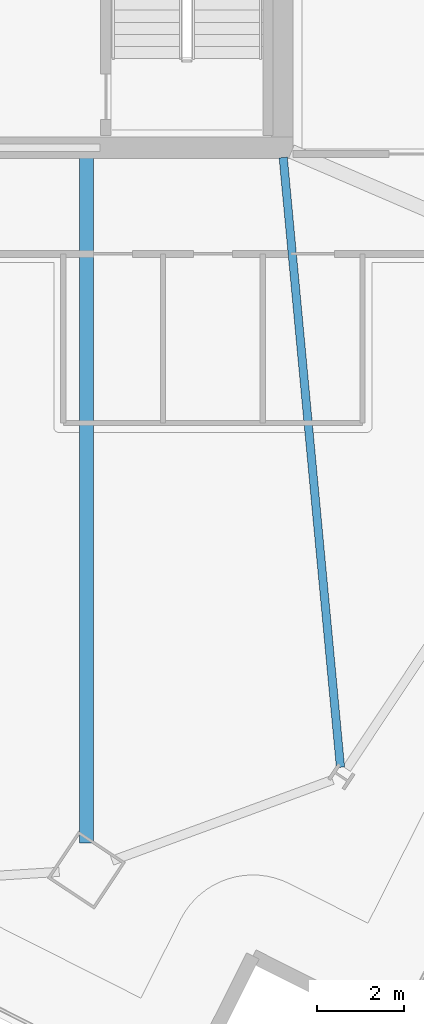
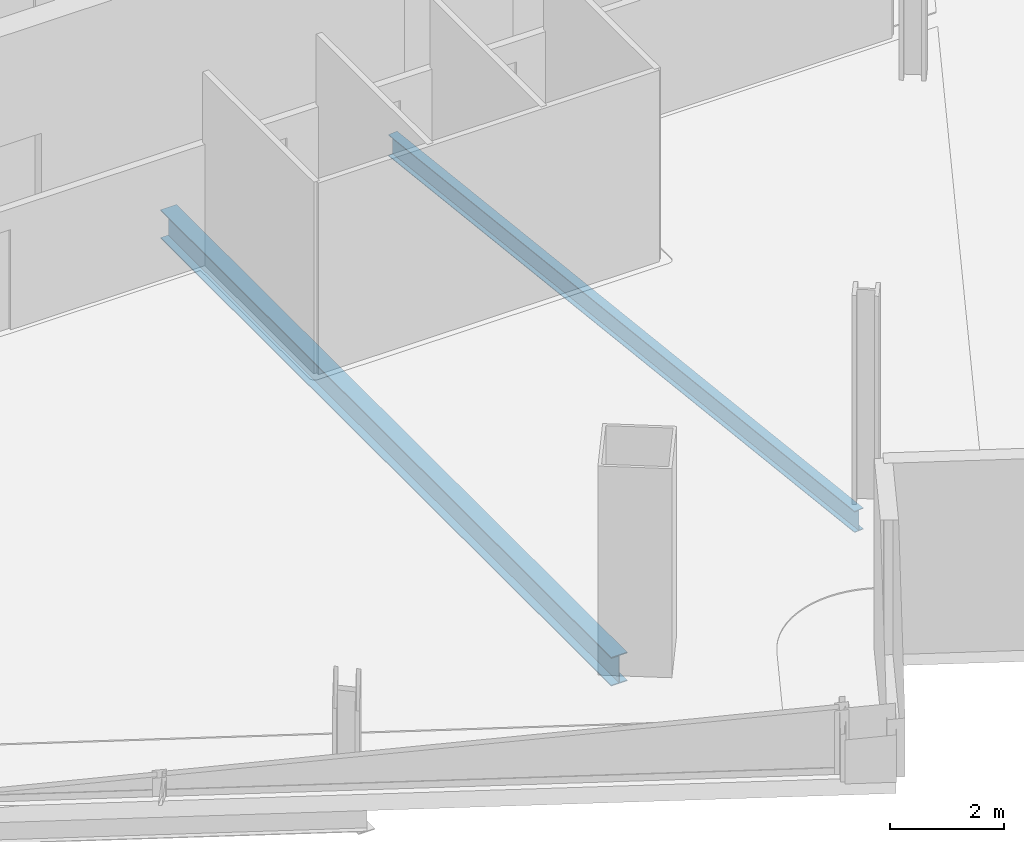
# One storey, part 9 of 27: 2 beams.
"""IFC4 building model written with IfcOpenShell, lengths in metres."""

from ifc_helpers import new_model, si_unit, direction, frame, origin, origin_2d, place, context, subcontext, project, spatial, i_section, extrude, material, material_profile, profile_set, type_object, element, save


model = new_model("IFC4")

# Units and contexts
model_context = context("Model", 3, precision=1e-05, world=origin(), true_north=direction((0.0, 1.0)))
body_context = subcontext(model_context, "Body", "Model", "MODEL_VIEW")
ifc_project = project(units=[si_unit("LENGTHUNIT", "METRE"), si_unit("AREAUNIT", "SQUARE_METRE"), si_unit("VOLUMEUNIT", "CUBIC_METRE"), si_unit("PLANEANGLEUNIT", "RADIAN"), si_unit("MASSUNIT", "GRAM", prefix="KILO")], contexts=[model_context])

# Site, building, storey
site_placement = place(None, origin())
site = spatial("IfcSite", under=ifc_project, at=site_placement, CompositionType="ELEMENT")
building_placement = place(site_placement, origin())
building = spatial("IfcBuilding", under=site, at=building_placement, Name="Haldenkirk Collegiate Tower", CompositionType="ELEMENT")
storey_placement = place(building_placement, frame((0.0, 0.0, 239.699951171875)))
storey = spatial("IfcBuildingStorey", under=building, at=storey_placement, Name="L60", CompositionType="ELEMENT", Elevation=239.699951171875)

# Beams
ifc_material = material(Name="Steel ASTM A992 Grade 50", Category="steel")
ifc_material_profile_1 = material_profile(ifc_material, i_section(OverallWidth=0.324951171875, OverallDepth=0.615966796875, WebThickness=0.013916015625, FlangeThickness=0.021484375, at=origin_2d()), Name="W24X117")
ifc_profile_set_1 = profile_set([ifc_material_profile_1], Name="Steel ASTM A992 Grade 50")
beam_type_1 = type_object("IfcBeamType", Name="BM-GIRDER-W24X117", PredefinedType="BEAM", material=ifc_profile_set_1)
beam_1_placement = place(storey_placement, frame((40.482666015625, 1.962890625, -0.657958984375), z_axis=(0.0, 1.0, 0.0), x_axis=(-1.0, 0.0, 0.0)))
element("IfcBeam", 1, at=beam_1_placement, inside=storey, type_object=beam_type_1, Name="L60 primary floor girder 01", PredefinedType="BEAM", context=body_context, shape_type="SweptSolid", body=[
    extrude(i_section(OverallWidth=0.324951171875, OverallDepth=0.615966796875, WebThickness=0.013916015625, FlangeThickness=0.021484375, at=origin_2d()), origin(), (0.0, 0.0, 1.0), 15.80712890625),
])
ifc_material_profile_2 = material_profile(ifc_material, i_section(OverallWidth=0.18994140625, OverallDepth=0.45703125, WebThickness=0.009033203125, FlangeThickness=0.014404296875, at=origin_2d()), Name="W18X50")
ifc_profile_set_2 = profile_set([ifc_material_profile_2], Name="Steel ASTM A992 Grade 50")
beam_type_2 = type_object("IfcBeamType", Name="BM-JOIST-W18X50", PredefinedType="JOIST", material=ifc_profile_set_2)
beam_2_placement = place(storey_placement, frame((46.3427734375, 3.705810546875, -0.578369140625), z_axis=(-0.093528614258, 0.995616592025, 0.0), x_axis=(-0.995616592025, -0.093528614258, 0.0)))
element("IfcBeam", 2, at=beam_2_placement, inside=storey, type_object=beam_type_2, Name="L60 composite floor joist 05", PredefinedType="JOIST", context=body_context, shape_type="SweptSolid", body=[
    extrude(i_section(OverallWidth=0.18994140625, OverallDepth=0.45703125, WebThickness=0.009033203125, FlangeThickness=0.014404296875, at=origin_2d()), origin(), (0.0, 0.0, 1.0), 14.127197265625),
])

save(model, "model.ifc")
